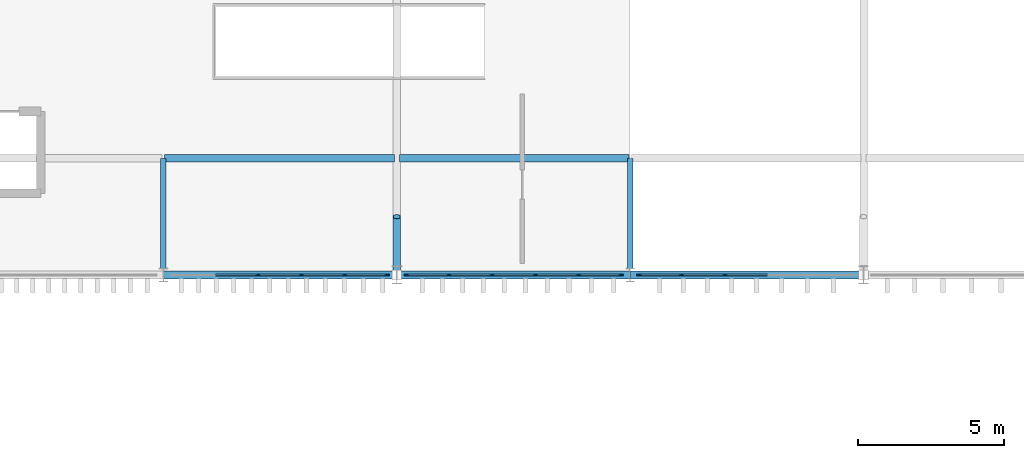
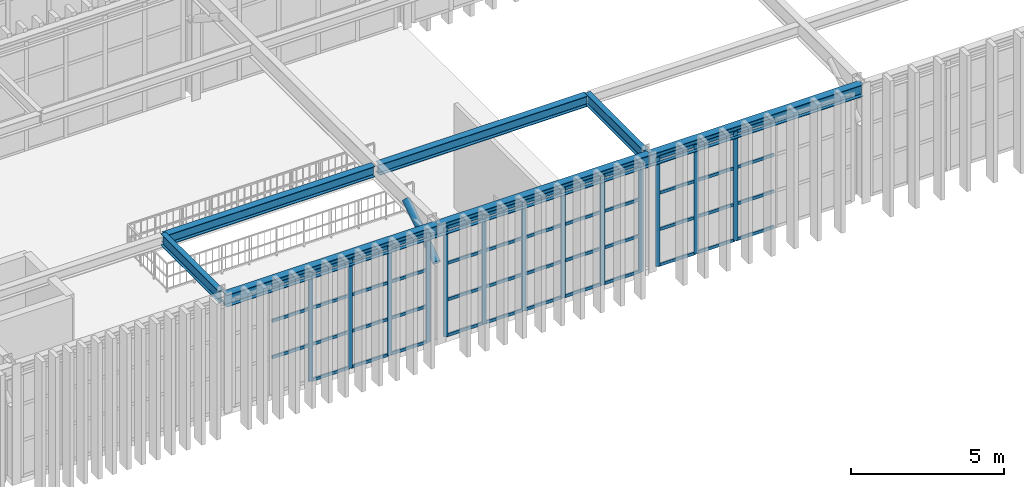
# One storey, part 18 of 61: 61 members, 7 beams, 3 elements without a shape of their own.
"""IFC4 building model written with IfcOpenShell, lengths in metres."""

from ifc_helpers import new_model, si_unit, direction, frame, origin, origin_2d, place, context, subcontext, project, spatial, rectangle, hollow_circle, i_section, extrude, material, material_profile, profile_set, type_object, element, aggregate, save


model = new_model("IFC4")

# Units and contexts
model_context = context("Model", 3, precision=1e-05, world=origin(), true_north=direction((0.0, 1.0)))
body_context = subcontext(model_context, "Body", "Model", "MODEL_VIEW")
ifc_project = project(units=[si_unit("LENGTHUNIT", "METRE"), si_unit("AREAUNIT", "SQUARE_METRE"), si_unit("VOLUMEUNIT", "CUBIC_METRE"), si_unit("PLANEANGLEUNIT", "RADIAN"), si_unit("MASSUNIT", "GRAM", prefix="KILO")], contexts=[model_context])

# Site, building, storey
site_placement = place(None, origin())
site = spatial("IfcSite", under=ifc_project, at=site_placement, CompositionType="ELEMENT")
building_placement = place(site_placement, origin())
building = spatial("IfcBuilding", under=site, at=building_placement, Name="Serraluz Foothill Cableway Terminal", CompositionType="ELEMENT")
storey_placement = place(building_placement, frame((0.0, 0.0, 15.0)))
storey = spatial("IfcBuildingStorey", under=building, at=storey_placement, Name="L03", CompositionType="ELEMENT", Elevation=15.0)

# Curtain wall, members
ifc_material_1 = material(Name="Architectural bronze alloy C28000", Category="aluminium")
curtain_wall_type_1 = type_object("IfcCurtainWallType", Name="TYP-CW-680X420", PredefinedType="NOTDEFINED", material=ifc_material_1)
curtain_wall_1_placement = place(storey_placement, origin())
curtain_wall_1 = element("IfcCurtainWall", 1, at=curtain_wall_1_placement, inside=storey, type_object=curtain_wall_type_1, Name="Ribbed Glazed Curtain Wall CW-V1S-L03-80", PredefinedType="NOTDEFINED")
ifc_material_profile_1 = material_profile(ifc_material_1, rectangle(XDim=0.06005859375, YDim=0.159912109375, at=origin_2d()), Name="ALU MULLION 60x160")
ifc_profile_set_1 = profile_set([ifc_material_profile_1], Name="Architectural bronze alloy C28000")
member_type_1 = type_object("IfcMemberType", Name="TYP-CW-MUL-60X160", PredefinedType="MULLION", material=ifc_profile_set_1)
member_1_placement = place(storey_placement, frame((87.66748046875, 56.0, 0.0), z_axis=(0.0, 0.0, 1.0), x_axis=(0.0, -1.0, 0.0)))
member_1 = element("IfcMember", 2, at=member_1_placement, type_object=member_type_1, Name="CW-13 mullion 1", PredefinedType="MULLION", context=body_context, shape_type="SweptSolid", body=[
    extrude(rectangle(XDim=0.06005859375, YDim=0.159912109375, at=origin_2d()), origin(), (0.0, 0.0, 1.0), 4.35009765625),
])
member_2_placement = place(storey_placement, frame((86.21435546875, 56.0, 0.0), z_axis=(0.0, 0.0, 1.0), x_axis=(0.0, -1.0, 0.0)))
member_2 = element("IfcMember", 3, at=member_2_placement, type_object=member_type_1, Name="CW-13 mullion 2", PredefinedType="MULLION", context=body_context, shape_type="SweptSolid", body=[
    extrude(rectangle(XDim=0.06005859375, YDim=0.159912109375, at=origin_2d()), origin(), (0.0, 0.0, 1.0), 4.35009765625),
])
member_3_placement = place(storey_placement, frame((84.731201171875, 56.0, 0.0), z_axis=(0.0, 0.0, 1.0), x_axis=(0.0, -1.0, 0.0)))
member_3 = element("IfcMember", 4, at=member_3_placement, type_object=member_type_1, Name="CW-13 mullion 3", PredefinedType="MULLION", context=body_context, shape_type="SweptSolid", body=[
    extrude(rectangle(XDim=0.06005859375, YDim=0.159912109375, at=origin_2d()), origin(), (0.0, 0.0, 1.0), 4.35009765625),
])
member_4_placement = place(storey_placement, frame((83.247802734375, 56.0, 0.0), z_axis=(0.0, 0.0, 1.0), x_axis=(0.0, -1.0, 0.0)))
member_4 = element("IfcMember", 5, at=member_4_placement, type_object=member_type_1, Name="CW-13 mullion 4", PredefinedType="MULLION", context=body_context, shape_type="SweptSolid", body=[
    extrude(rectangle(XDim=0.06005859375, YDim=0.159912109375, at=origin_2d()), origin(), (0.0, 0.0, 1.0), 4.35009765625),
])

curtain_wall_type_2 = type_object("IfcCurtainWallType", Name="TYP-CW-480X380", PredefinedType="NOTDEFINED", material=ifc_material_1)
curtain_wall_2_placement = place(storey_placement, origin())
curtain_wall_2 = element("IfcCurtainWall", 6, at=curtain_wall_2_placement, inside=storey, type_object=curtain_wall_type_2, Name="Ribbed Glazed Curtain Wall CW-V1S-L03-88", PredefinedType="NOTDEFINED")
member_5_placement = place(storey_placement, frame((95.6884765625, 56.0, 0.0), z_axis=(0.0, 0.0, 1.0), x_axis=(0.0, -1.0, 0.0)))
member_5 = element("IfcMember", 7, at=member_5_placement, type_object=member_type_1, Name="CW-14 mullion 1", PredefinedType="MULLION", context=body_context, shape_type="SweptSolid", body=[
    extrude(rectangle(XDim=0.06005859375, YDim=0.159912109375, at=origin_2d()), origin(), (0.0, 0.0, 1.0), 4.35009765625),
])
member_6_placement = place(storey_placement, frame((94.2353515625, 56.0, 0.0), z_axis=(0.0, 0.0, 1.0), x_axis=(0.0, -1.0, 0.0)))
member_6 = element("IfcMember", 8, at=member_6_placement, type_object=member_type_1, Name="CW-14 mullion 2", PredefinedType="MULLION", context=body_context, shape_type="SweptSolid", body=[
    extrude(rectangle(XDim=0.06005859375, YDim=0.159912109375, at=origin_2d()), origin(), (0.0, 0.0, 1.0), 4.35009765625),
])
member_7_placement = place(storey_placement, frame((92.752197265625, 56.0, 0.0), z_axis=(0.0, 0.0, 1.0), x_axis=(0.0, -1.0, 0.0)))
member_7 = element("IfcMember", 9, at=member_7_placement, type_object=member_type_1, Name="CW-14 mullion 3", PredefinedType="MULLION", context=body_context, shape_type="SweptSolid", body=[
    extrude(rectangle(XDim=0.06005859375, YDim=0.159912109375, at=origin_2d()), origin(), (0.0, 0.0, 1.0), 4.35009765625),
])
member_8_placement = place(storey_placement, frame((91.268798828125, 56.0, 0.0), z_axis=(0.0, 0.0, 1.0), x_axis=(0.0, -1.0, 0.0)))
member_8 = element("IfcMember", 10, at=member_8_placement, type_object=member_type_1, Name="CW-14 mullion 4", PredefinedType="MULLION", context=body_context, shape_type="SweptSolid", body=[
    extrude(rectangle(XDim=0.06005859375, YDim=0.159912109375, at=origin_2d()), origin(), (0.0, 0.0, 1.0), 4.35009765625),
])
member_9_placement = place(storey_placement, frame((89.78564453125, 56.0, 0.0), z_axis=(0.0, 0.0, 1.0), x_axis=(0.0, -1.0, 0.0)))
member_9 = element("IfcMember", 11, at=member_9_placement, type_object=member_type_1, Name="CW-14 mullion 5", PredefinedType="MULLION", context=body_context, shape_type="SweptSolid", body=[
    extrude(rectangle(XDim=0.06005859375, YDim=0.159912109375, at=origin_2d()), origin(), (0.0, 0.0, 1.0), 4.35009765625),
])
member_10_placement = place(storey_placement, frame((88.33251953125, 56.0, 0.0), z_axis=(0.0, 0.0, 1.0), x_axis=(0.0, -1.0, 0.0)))
member_10 = element("IfcMember", 12, at=member_10_placement, type_object=member_type_1, Name="CW-14 mullion 6", PredefinedType="MULLION", context=body_context, shape_type="SweptSolid", body=[
    extrude(rectangle(XDim=0.06005859375, YDim=0.159912109375, at=origin_2d()), origin(), (0.0, 0.0, 1.0), 4.35009765625),
])

curtain_wall_type_3 = type_object("IfcCurtainWallType", Name="TYP-CW-480X420", PredefinedType="NOTDEFINED", material=ifc_material_1)
curtain_wall_3_placement = place(storey_placement, origin())
curtain_wall_3 = element("IfcCurtainWall", 13, at=curtain_wall_3_placement, inside=storey, type_object=curtain_wall_type_3, Name="Ribbed Glazed Curtain Wall CW-V1S-L03-96", PredefinedType="NOTDEFINED")
member_11_placement = place(storey_placement, frame((99.247802734375, 56.0, 0.0), z_axis=(0.0, 0.0, 1.0), x_axis=(0.0, -1.0, 0.0)))
member_11 = element("IfcMember", 14, at=member_11_placement, type_object=member_type_1, Name="CW-15 mullion 4", PredefinedType="MULLION", context=body_context, shape_type="SweptSolid", body=[
    extrude(rectangle(XDim=0.06005859375, YDim=0.159912109375, at=origin_2d()), origin(), (0.0, 0.0, 1.0), 4.35009765625),
])
member_12_placement = place(storey_placement, frame((97.7646484375, 56.0, 0.0), z_axis=(0.0, 0.0, 1.0), x_axis=(0.0, -1.0, 0.0)))
member_12 = element("IfcMember", 15, at=member_12_placement, type_object=member_type_1, Name="CW-15 mullion 5", PredefinedType="MULLION", context=body_context, shape_type="SweptSolid", body=[
    extrude(rectangle(XDim=0.06005859375, YDim=0.159912109375, at=origin_2d()), origin(), (0.0, 0.0, 1.0), 4.35009765625),
])
member_13_placement = place(storey_placement, frame((96.3115234375, 56.0, 0.0), z_axis=(0.0, 0.0, 1.0), x_axis=(0.0, -1.0, 0.0)))
member_13 = element("IfcMember", 16, at=member_13_placement, type_object=member_type_1, Name="CW-15 mullion 6", PredefinedType="MULLION", context=body_context, shape_type="SweptSolid", body=[
    extrude(rectangle(XDim=0.06005859375, YDim=0.159912109375, at=origin_2d()), origin(), (0.0, 0.0, 1.0), 4.35009765625),
])

# Member
ifc_material_profile_2 = material_profile(ifc_material_1, rectangle(XDim=0.06005859375, YDim=0.1201171875, at=origin_2d()), Name="ALU TRANSOM 60x120")
ifc_profile_set_2 = profile_set([ifc_material_profile_2], Name="Architectural bronze alloy C28000")
member_type_2 = type_object("IfcMemberType", Name="TYP-CW-TRN-60X120", PredefinedType="USERDEFINED", material=ifc_profile_set_2)
member_14_placement = place(storey_placement, frame((87.637451171875, 56.0, 0.030029296875), z_axis=(-1.0, 0.0, 0.0), x_axis=(0.0, -1.0, 0.0)))
member_14 = element("IfcMember", 17, at=member_14_placement, type_object=member_type_2, Name="CW-13 transom 1.1", ObjectType="TRANSOM", PredefinedType="USERDEFINED", context=body_context, shape_type="SweptSolid", body=[
    extrude(rectangle(XDim=0.06005859375, YDim=0.1201171875, at=origin_2d()), origin(), (0.0, 0.0, 1.0), 1.39306640625),
])

member_15_placement = place(storey_placement, frame((87.637451171875, 56.0, 1.449951171875), z_axis=(-1.0, 0.0, 0.0), x_axis=(0.0, -1.0, 0.0)))
member_15 = element("IfcMember", 18, at=member_15_placement, type_object=member_type_2, Name="CW-13 transom 1.2", ObjectType="TRANSOM", PredefinedType="USERDEFINED", context=body_context, shape_type="SweptSolid", body=[
    extrude(rectangle(XDim=0.06005859375, YDim=0.1201171875, at=origin_2d()), origin(), (0.0, 0.0, 1.0), 1.39306640625),
])

member_16_placement = place(storey_placement, frame((87.637451171875, 56.0, 2.89990234375), z_axis=(-1.0, 0.0, 0.0), x_axis=(0.0, -1.0, 0.0)))
member_16 = element("IfcMember", 19, at=member_16_placement, type_object=member_type_2, Name="CW-13 transom 1.3", ObjectType="TRANSOM", PredefinedType="USERDEFINED", context=body_context, shape_type="SweptSolid", body=[
    extrude(rectangle(XDim=0.06005859375, YDim=0.1201171875, at=origin_2d()), origin(), (0.0, 0.0, 1.0), 1.39306640625),
])

member_17_placement = place(storey_placement, frame((87.637451171875, 56.0, 4.320068359375), z_axis=(-1.0, 0.0, 0.0), x_axis=(0.0, -1.0, 0.0)))
member_17 = element("IfcMember", 20, at=member_17_placement, type_object=member_type_2, Name="CW-13 transom 1.4", ObjectType="TRANSOM", PredefinedType="USERDEFINED", context=body_context, shape_type="SweptSolid", body=[
    extrude(rectangle(XDim=0.06005859375, YDim=0.1201171875, at=origin_2d()), origin(), (0.0, 0.0, 1.0), 1.39306640625),
])

member_18_placement = place(storey_placement, frame((86.184326171875, 56.0, 0.030029296875), z_axis=(-1.0, 0.0, 0.0), x_axis=(0.0, -1.0, 0.0)))
member_18 = element("IfcMember", 21, at=member_18_placement, type_object=member_type_2, Name="CW-13 transom 2.1", ObjectType="TRANSOM", PredefinedType="USERDEFINED", context=body_context, shape_type="SweptSolid", body=[
    extrude(rectangle(XDim=0.06005859375, YDim=0.1201171875, at=origin_2d()), origin(), (0.0, 0.0, 1.0), 1.42333984375),
])

member_19_placement = place(storey_placement, frame((86.184326171875, 56.0, 1.449951171875), z_axis=(-1.0, 0.0, 0.0), x_axis=(0.0, -1.0, 0.0)))
member_19 = element("IfcMember", 22, at=member_19_placement, type_object=member_type_2, Name="CW-13 transom 2.2", ObjectType="TRANSOM", PredefinedType="USERDEFINED", context=body_context, shape_type="SweptSolid", body=[
    extrude(rectangle(XDim=0.06005859375, YDim=0.1201171875, at=origin_2d()), origin(), (0.0, 0.0, 1.0), 1.42333984375),
])

member_20_placement = place(storey_placement, frame((86.184326171875, 56.0, 2.89990234375), z_axis=(-1.0, 0.0, 0.0), x_axis=(0.0, -1.0, 0.0)))
member_20 = element("IfcMember", 23, at=member_20_placement, type_object=member_type_2, Name="CW-13 transom 2.3", ObjectType="TRANSOM", PredefinedType="USERDEFINED", context=body_context, shape_type="SweptSolid", body=[
    extrude(rectangle(XDim=0.06005859375, YDim=0.1201171875, at=origin_2d()), origin(), (0.0, 0.0, 1.0), 1.42333984375),
])

member_21_placement = place(storey_placement, frame((86.184326171875, 56.0, 4.320068359375), z_axis=(-1.0, 0.0, 0.0), x_axis=(0.0, -1.0, 0.0)))
member_21 = element("IfcMember", 24, at=member_21_placement, type_object=member_type_2, Name="CW-13 transom 2.4", ObjectType="TRANSOM", PredefinedType="USERDEFINED", context=body_context, shape_type="SweptSolid", body=[
    extrude(rectangle(XDim=0.06005859375, YDim=0.1201171875, at=origin_2d()), origin(), (0.0, 0.0, 1.0), 1.42333984375),
])

member_22_placement = place(storey_placement, frame((84.701171875, 56.0, 0.030029296875), z_axis=(-1.0, 0.0, 0.0), x_axis=(0.0, -1.0, 0.0)))
member_22 = element("IfcMember", 25, at=member_22_placement, type_object=member_type_2, Name="CW-13 transom 3.1", ObjectType="TRANSOM", PredefinedType="USERDEFINED", context=body_context, shape_type="SweptSolid", body=[
    extrude(rectangle(XDim=0.06005859375, YDim=0.1201171875, at=origin_2d()), origin(), (0.0, 0.0, 1.0), 1.42333984375),
])

member_23_placement = place(storey_placement, frame((84.701171875, 56.0, 1.449951171875), z_axis=(-1.0, 0.0, 0.0), x_axis=(0.0, -1.0, 0.0)))
member_23 = element("IfcMember", 26, at=member_23_placement, type_object=member_type_2, Name="CW-13 transom 3.2", ObjectType="TRANSOM", PredefinedType="USERDEFINED", context=body_context, shape_type="SweptSolid", body=[
    extrude(rectangle(XDim=0.06005859375, YDim=0.1201171875, at=origin_2d()), origin(), (0.0, 0.0, 1.0), 1.42333984375),
])

member_24_placement = place(storey_placement, frame((84.701171875, 56.0, 2.89990234375), z_axis=(-1.0, 0.0, 0.0), x_axis=(0.0, -1.0, 0.0)))
member_24 = element("IfcMember", 27, at=member_24_placement, type_object=member_type_2, Name="CW-13 transom 3.3", ObjectType="TRANSOM", PredefinedType="USERDEFINED", context=body_context, shape_type="SweptSolid", body=[
    extrude(rectangle(XDim=0.06005859375, YDim=0.1201171875, at=origin_2d()), origin(), (0.0, 0.0, 1.0), 1.42333984375),
])

member_25_placement = place(storey_placement, frame((84.701171875, 56.0, 4.320068359375), z_axis=(-1.0, 0.0, 0.0), x_axis=(0.0, -1.0, 0.0)))
member_25 = element("IfcMember", 28, at=member_25_placement, type_object=member_type_2, Name="CW-13 transom 3.4", ObjectType="TRANSOM", PredefinedType="USERDEFINED", context=body_context, shape_type="SweptSolid", body=[
    extrude(rectangle(XDim=0.06005859375, YDim=0.1201171875, at=origin_2d()), origin(), (0.0, 0.0, 1.0), 1.42333984375),
])

member_26_placement = place(storey_placement, frame((83.218017578125, 56.0, 1.449951171875), z_axis=(-1.0, 0.0, 0.0), x_axis=(0.0, -1.0, 0.0)))
member_26 = element("IfcMember", 29, at=member_26_placement, type_object=member_type_2, Name="CW-13 transom 4.2", ObjectType="TRANSOM", PredefinedType="USERDEFINED", context=body_context, shape_type="SweptSolid", body=[
    extrude(rectangle(XDim=0.06005859375, YDim=0.1201171875, at=origin_2d()), origin(), (0.0, 0.0, 1.0), 1.42333984375),
])

member_27_placement = place(storey_placement, frame((83.218017578125, 56.0, 2.89990234375), z_axis=(-1.0, 0.0, 0.0), x_axis=(0.0, -1.0, 0.0)))
member_27 = element("IfcMember", 30, at=member_27_placement, type_object=member_type_2, Name="CW-13 transom 4.3", ObjectType="TRANSOM", PredefinedType="USERDEFINED", context=body_context, shape_type="SweptSolid", body=[
    extrude(rectangle(XDim=0.06005859375, YDim=0.1201171875, at=origin_2d()), origin(), (0.0, 0.0, 1.0), 1.42333984375),
])

member_28_placement = place(storey_placement, frame((83.218017578125, 56.0, 4.320068359375), z_axis=(-1.0, 0.0, 0.0), x_axis=(0.0, -1.0, 0.0)))
member_28 = element("IfcMember", 31, at=member_28_placement, type_object=member_type_2, Name="CW-13 transom 4.4", ObjectType="TRANSOM", PredefinedType="USERDEFINED", context=body_context, shape_type="SweptSolid", body=[
    extrude(rectangle(XDim=0.06005859375, YDim=0.1201171875, at=origin_2d()), origin(), (0.0, 0.0, 1.0), 1.42333984375),
])

aggregate(curtain_wall_1, [member_1, member_2, member_3, member_4, member_14, member_15, member_16, member_17, member_18, member_19, member_20, member_21, member_22, member_23, member_24, member_25, member_26, member_27, member_28])

member_29_placement = place(storey_placement, frame((95.658447265625, 56.0, 0.030029296875), z_axis=(-1.0, 0.0, 0.0), x_axis=(0.0, -1.0, 0.0)))
member_29 = element("IfcMember", 32, at=member_29_placement, type_object=member_type_2, Name="CW-14 transom 1.1", ObjectType="TRANSOM", PredefinedType="USERDEFINED", context=body_context, shape_type="SweptSolid", body=[
    extrude(rectangle(XDim=0.06005859375, YDim=0.1201171875, at=origin_2d()), origin(), (0.0, 0.0, 1.0), 1.39306640625),
])

member_30_placement = place(storey_placement, frame((95.658447265625, 56.0, 1.449951171875), z_axis=(-1.0, 0.0, 0.0), x_axis=(0.0, -1.0, 0.0)))
member_30 = element("IfcMember", 33, at=member_30_placement, type_object=member_type_2, Name="CW-14 transom 1.2", ObjectType="TRANSOM", PredefinedType="USERDEFINED", context=body_context, shape_type="SweptSolid", body=[
    extrude(rectangle(XDim=0.06005859375, YDim=0.1201171875, at=origin_2d()), origin(), (0.0, 0.0, 1.0), 1.39306640625),
])

member_31_placement = place(storey_placement, frame((95.658447265625, 56.0, 2.89990234375), z_axis=(-1.0, 0.0, 0.0), x_axis=(0.0, -1.0, 0.0)))
member_31 = element("IfcMember", 34, at=member_31_placement, type_object=member_type_2, Name="CW-14 transom 1.3", ObjectType="TRANSOM", PredefinedType="USERDEFINED", context=body_context, shape_type="SweptSolid", body=[
    extrude(rectangle(XDim=0.06005859375, YDim=0.1201171875, at=origin_2d()), origin(), (0.0, 0.0, 1.0), 1.39306640625),
])

member_32_placement = place(storey_placement, frame((95.658447265625, 56.0, 4.320068359375), z_axis=(-1.0, 0.0, 0.0), x_axis=(0.0, -1.0, 0.0)))
member_32 = element("IfcMember", 35, at=member_32_placement, type_object=member_type_2, Name="CW-14 transom 1.4", ObjectType="TRANSOM", PredefinedType="USERDEFINED", context=body_context, shape_type="SweptSolid", body=[
    extrude(rectangle(XDim=0.06005859375, YDim=0.1201171875, at=origin_2d()), origin(), (0.0, 0.0, 1.0), 1.39306640625),
])

member_33_placement = place(storey_placement, frame((94.205322265625, 56.0, 0.030029296875), z_axis=(-1.0, 0.0, 0.0), x_axis=(0.0, -1.0, 0.0)))
member_33 = element("IfcMember", 36, at=member_33_placement, type_object=member_type_2, Name="CW-14 transom 2.1", ObjectType="TRANSOM", PredefinedType="USERDEFINED", context=body_context, shape_type="SweptSolid", body=[
    extrude(rectangle(XDim=0.06005859375, YDim=0.1201171875, at=origin_2d()), origin(), (0.0, 0.0, 1.0), 1.42333984375),
])

member_34_placement = place(storey_placement, frame((94.205322265625, 56.0, 1.449951171875), z_axis=(-1.0, 0.0, 0.0), x_axis=(0.0, -1.0, 0.0)))
member_34 = element("IfcMember", 37, at=member_34_placement, type_object=member_type_2, Name="CW-14 transom 2.2", ObjectType="TRANSOM", PredefinedType="USERDEFINED", context=body_context, shape_type="SweptSolid", body=[
    extrude(rectangle(XDim=0.06005859375, YDim=0.1201171875, at=origin_2d()), origin(), (0.0, 0.0, 1.0), 1.42333984375),
])

member_35_placement = place(storey_placement, frame((94.205322265625, 56.0, 2.89990234375), z_axis=(-1.0, 0.0, 0.0), x_axis=(0.0, -1.0, 0.0)))
member_35 = element("IfcMember", 38, at=member_35_placement, type_object=member_type_2, Name="CW-14 transom 2.3", ObjectType="TRANSOM", PredefinedType="USERDEFINED", context=body_context, shape_type="SweptSolid", body=[
    extrude(rectangle(XDim=0.06005859375, YDim=0.1201171875, at=origin_2d()), origin(), (0.0, 0.0, 1.0), 1.42333984375),
])

member_36_placement = place(storey_placement, frame((94.205322265625, 56.0, 4.320068359375), z_axis=(-1.0, 0.0, 0.0), x_axis=(0.0, -1.0, 0.0)))
member_36 = element("IfcMember", 39, at=member_36_placement, type_object=member_type_2, Name="CW-14 transom 2.4", ObjectType="TRANSOM", PredefinedType="USERDEFINED", context=body_context, shape_type="SweptSolid", body=[
    extrude(rectangle(XDim=0.06005859375, YDim=0.1201171875, at=origin_2d()), origin(), (0.0, 0.0, 1.0), 1.42333984375),
])

member_37_placement = place(storey_placement, frame((92.72216796875, 56.0, 0.030029296875), z_axis=(-1.0, 0.0, 0.0), x_axis=(0.0, -1.0, 0.0)))
member_37 = element("IfcMember", 40, at=member_37_placement, type_object=member_type_2, Name="CW-14 transom 3.1", ObjectType="TRANSOM", PredefinedType="USERDEFINED", context=body_context, shape_type="SweptSolid", body=[
    extrude(rectangle(XDim=0.06005859375, YDim=0.1201171875, at=origin_2d()), origin(), (0.0, 0.0, 1.0), 1.42333984375),
])

member_38_placement = place(storey_placement, frame((92.72216796875, 56.0, 1.449951171875), z_axis=(-1.0, 0.0, 0.0), x_axis=(0.0, -1.0, 0.0)))
member_38 = element("IfcMember", 41, at=member_38_placement, type_object=member_type_2, Name="CW-14 transom 3.2", ObjectType="TRANSOM", PredefinedType="USERDEFINED", context=body_context, shape_type="SweptSolid", body=[
    extrude(rectangle(XDim=0.06005859375, YDim=0.1201171875, at=origin_2d()), origin(), (0.0, 0.0, 1.0), 1.42333984375),
])

member_39_placement = place(storey_placement, frame((92.72216796875, 56.0, 2.89990234375), z_axis=(-1.0, 0.0, 0.0), x_axis=(0.0, -1.0, 0.0)))
member_39 = element("IfcMember", 42, at=member_39_placement, type_object=member_type_2, Name="CW-14 transom 3.3", ObjectType="TRANSOM", PredefinedType="USERDEFINED", context=body_context, shape_type="SweptSolid", body=[
    extrude(rectangle(XDim=0.06005859375, YDim=0.1201171875, at=origin_2d()), origin(), (0.0, 0.0, 1.0), 1.42333984375),
])

member_40_placement = place(storey_placement, frame((92.72216796875, 56.0, 4.320068359375), z_axis=(-1.0, 0.0, 0.0), x_axis=(0.0, -1.0, 0.0)))
member_40 = element("IfcMember", 43, at=member_40_placement, type_object=member_type_2, Name="CW-14 transom 3.4", ObjectType="TRANSOM", PredefinedType="USERDEFINED", context=body_context, shape_type="SweptSolid", body=[
    extrude(rectangle(XDim=0.06005859375, YDim=0.1201171875, at=origin_2d()), origin(), (0.0, 0.0, 1.0), 1.42333984375),
])

member_41_placement = place(storey_placement, frame((91.239013671875, 56.0, 0.030029296875), z_axis=(-1.0, 0.0, 0.0), x_axis=(0.0, -1.0, 0.0)))
member_41 = element("IfcMember", 44, at=member_41_placement, type_object=member_type_2, Name="CW-14 transom 4.1", ObjectType="TRANSOM", PredefinedType="USERDEFINED", context=body_context, shape_type="SweptSolid", body=[
    extrude(rectangle(XDim=0.06005859375, YDim=0.1201171875, at=origin_2d()), origin(), (0.0, 0.0, 1.0), 1.42333984375),
])

member_42_placement = place(storey_placement, frame((91.239013671875, 56.0, 1.449951171875), z_axis=(-1.0, 0.0, 0.0), x_axis=(0.0, -1.0, 0.0)))
member_42 = element("IfcMember", 45, at=member_42_placement, type_object=member_type_2, Name="CW-14 transom 4.2", ObjectType="TRANSOM", PredefinedType="USERDEFINED", context=body_context, shape_type="SweptSolid", body=[
    extrude(rectangle(XDim=0.06005859375, YDim=0.1201171875, at=origin_2d()), origin(), (0.0, 0.0, 1.0), 1.42333984375),
])

member_43_placement = place(storey_placement, frame((91.239013671875, 56.0, 2.89990234375), z_axis=(-1.0, 0.0, 0.0), x_axis=(0.0, -1.0, 0.0)))
member_43 = element("IfcMember", 46, at=member_43_placement, type_object=member_type_2, Name="CW-14 transom 4.3", ObjectType="TRANSOM", PredefinedType="USERDEFINED", context=body_context, shape_type="SweptSolid", body=[
    extrude(rectangle(XDim=0.06005859375, YDim=0.1201171875, at=origin_2d()), origin(), (0.0, 0.0, 1.0), 1.42333984375),
])

member_44_placement = place(storey_placement, frame((91.239013671875, 56.0, 4.320068359375), z_axis=(-1.0, 0.0, 0.0), x_axis=(0.0, -1.0, 0.0)))
member_44 = element("IfcMember", 47, at=member_44_placement, type_object=member_type_2, Name="CW-14 transom 4.4", ObjectType="TRANSOM", PredefinedType="USERDEFINED", context=body_context, shape_type="SweptSolid", body=[
    extrude(rectangle(XDim=0.06005859375, YDim=0.1201171875, at=origin_2d()), origin(), (0.0, 0.0, 1.0), 1.42333984375),
])

member_45_placement = place(storey_placement, frame((89.755615234375, 56.0, 0.030029296875), z_axis=(-1.0, 0.0, 0.0), x_axis=(0.0, -1.0, 0.0)))
member_45 = element("IfcMember", 48, at=member_45_placement, type_object=member_type_2, Name="CW-14 transom 5.1", ObjectType="TRANSOM", PredefinedType="USERDEFINED", context=body_context, shape_type="SweptSolid", body=[
    extrude(rectangle(XDim=0.06005859375, YDim=0.1201171875, at=origin_2d()), origin(), (0.0, 0.0, 1.0), 1.39306640625),
])

member_46_placement = place(storey_placement, frame((89.755615234375, 56.0, 1.449951171875), z_axis=(-1.0, 0.0, 0.0), x_axis=(0.0, -1.0, 0.0)))
member_46 = element("IfcMember", 49, at=member_46_placement, type_object=member_type_2, Name="CW-14 transom 5.2", ObjectType="TRANSOM", PredefinedType="USERDEFINED", context=body_context, shape_type="SweptSolid", body=[
    extrude(rectangle(XDim=0.06005859375, YDim=0.1201171875, at=origin_2d()), origin(), (0.0, 0.0, 1.0), 1.39306640625),
])

member_47_placement = place(storey_placement, frame((89.755615234375, 56.0, 2.89990234375), z_axis=(-1.0, 0.0, 0.0), x_axis=(0.0, -1.0, 0.0)))
member_47 = element("IfcMember", 50, at=member_47_placement, type_object=member_type_2, Name="CW-14 transom 5.3", ObjectType="TRANSOM", PredefinedType="USERDEFINED", context=body_context, shape_type="SweptSolid", body=[
    extrude(rectangle(XDim=0.06005859375, YDim=0.1201171875, at=origin_2d()), origin(), (0.0, 0.0, 1.0), 1.39306640625),
])

member_48_placement = place(storey_placement, frame((89.755615234375, 56.0, 4.320068359375), z_axis=(-1.0, 0.0, 0.0), x_axis=(0.0, -1.0, 0.0)))
member_48 = element("IfcMember", 51, at=member_48_placement, type_object=member_type_2, Name="CW-14 transom 5.4", ObjectType="TRANSOM", PredefinedType="USERDEFINED", context=body_context, shape_type="SweptSolid", body=[
    extrude(rectangle(XDim=0.06005859375, YDim=0.1201171875, at=origin_2d()), origin(), (0.0, 0.0, 1.0), 1.39306640625),
])

aggregate(curtain_wall_2, [member_5, member_6, member_7, member_8, member_9, member_10, member_29, member_30, member_31, member_32, member_33, member_34, member_35, member_36, member_37, member_38, member_39, member_40, member_41, member_42, member_43, member_44, member_45, member_46, member_47, member_48])

member_49_placement = place(storey_placement, frame((100.701171875, 56.0, 0.030029296875), z_axis=(-1.0, 0.0, 0.0), x_axis=(0.0, -1.0, 0.0)))
member_49 = element("IfcMember", 52, at=member_49_placement, type_object=member_type_2, Name="CW-15 transom 3.1", ObjectType="TRANSOM", PredefinedType="USERDEFINED", context=body_context, shape_type="SweptSolid", body=[
    extrude(rectangle(XDim=0.06005859375, YDim=0.1201171875, at=origin_2d()), origin(), (0.0, 0.0, 1.0), 1.42333984375),
])

member_50_placement = place(storey_placement, frame((100.701171875, 56.0, 1.449951171875), z_axis=(-1.0, 0.0, 0.0), x_axis=(0.0, -1.0, 0.0)))
member_50 = element("IfcMember", 53, at=member_50_placement, type_object=member_type_2, Name="CW-15 transom 3.2", ObjectType="TRANSOM", PredefinedType="USERDEFINED", context=body_context, shape_type="SweptSolid", body=[
    extrude(rectangle(XDim=0.06005859375, YDim=0.1201171875, at=origin_2d()), origin(), (0.0, 0.0, 1.0), 1.42333984375),
])

member_51_placement = place(storey_placement, frame((100.701171875, 56.0, 2.89990234375), z_axis=(-1.0, 0.0, 0.0), x_axis=(0.0, -1.0, 0.0)))
member_51 = element("IfcMember", 54, at=member_51_placement, type_object=member_type_2, Name="CW-15 transom 3.3", ObjectType="TRANSOM", PredefinedType="USERDEFINED", context=body_context, shape_type="SweptSolid", body=[
    extrude(rectangle(XDim=0.06005859375, YDim=0.1201171875, at=origin_2d()), origin(), (0.0, 0.0, 1.0), 1.42333984375),
])

member_52_placement = place(storey_placement, frame((100.701171875, 56.0, 4.320068359375), z_axis=(-1.0, 0.0, 0.0), x_axis=(0.0, -1.0, 0.0)))
member_52 = element("IfcMember", 55, at=member_52_placement, type_object=member_type_2, Name="CW-15 transom 3.4", ObjectType="TRANSOM", PredefinedType="USERDEFINED", context=body_context, shape_type="SweptSolid", body=[
    extrude(rectangle(XDim=0.06005859375, YDim=0.1201171875, at=origin_2d()), origin(), (0.0, 0.0, 1.0), 1.42333984375),
])

member_53_placement = place(storey_placement, frame((99.218017578125, 56.0, 0.030029296875), z_axis=(-1.0, 0.0, 0.0), x_axis=(0.0, -1.0, 0.0)))
member_53 = element("IfcMember", 56, at=member_53_placement, type_object=member_type_2, Name="CW-15 transom 4.1", ObjectType="TRANSOM", PredefinedType="USERDEFINED", context=body_context, shape_type="SweptSolid", body=[
    extrude(rectangle(XDim=0.06005859375, YDim=0.1201171875, at=origin_2d()), origin(), (0.0, 0.0, 1.0), 1.42333984375),
])

member_54_placement = place(storey_placement, frame((99.218017578125, 56.0, 1.449951171875), z_axis=(-1.0, 0.0, 0.0), x_axis=(0.0, -1.0, 0.0)))
member_54 = element("IfcMember", 57, at=member_54_placement, type_object=member_type_2, Name="CW-15 transom 4.2", ObjectType="TRANSOM", PredefinedType="USERDEFINED", context=body_context, shape_type="SweptSolid", body=[
    extrude(rectangle(XDim=0.06005859375, YDim=0.1201171875, at=origin_2d()), origin(), (0.0, 0.0, 1.0), 1.42333984375),
])

member_55_placement = place(storey_placement, frame((99.218017578125, 56.0, 2.89990234375), z_axis=(-1.0, 0.0, 0.0), x_axis=(0.0, -1.0, 0.0)))
member_55 = element("IfcMember", 58, at=member_55_placement, type_object=member_type_2, Name="CW-15 transom 4.3", ObjectType="TRANSOM", PredefinedType="USERDEFINED", context=body_context, shape_type="SweptSolid", body=[
    extrude(rectangle(XDim=0.06005859375, YDim=0.1201171875, at=origin_2d()), origin(), (0.0, 0.0, 1.0), 1.42333984375),
])

member_56_placement = place(storey_placement, frame((99.218017578125, 56.0, 4.320068359375), z_axis=(-1.0, 0.0, 0.0), x_axis=(0.0, -1.0, 0.0)))
member_56 = element("IfcMember", 59, at=member_56_placement, type_object=member_type_2, Name="CW-15 transom 4.4", ObjectType="TRANSOM", PredefinedType="USERDEFINED", context=body_context, shape_type="SweptSolid", body=[
    extrude(rectangle(XDim=0.06005859375, YDim=0.1201171875, at=origin_2d()), origin(), (0.0, 0.0, 1.0), 1.42333984375),
])

member_57_placement = place(storey_placement, frame((97.734619140625, 56.0, 0.030029296875), z_axis=(-1.0, 0.0, 0.0), x_axis=(0.0, -1.0, 0.0)))
member_57 = element("IfcMember", 60, at=member_57_placement, type_object=member_type_2, Name="CW-15 transom 5.1", ObjectType="TRANSOM", PredefinedType="USERDEFINED", context=body_context, shape_type="SweptSolid", body=[
    extrude(rectangle(XDim=0.06005859375, YDim=0.1201171875, at=origin_2d()), origin(), (0.0, 0.0, 1.0), 1.39306640625),
])

member_58_placement = place(storey_placement, frame((97.734619140625, 56.0, 1.449951171875), z_axis=(-1.0, 0.0, 0.0), x_axis=(0.0, -1.0, 0.0)))
member_58 = element("IfcMember", 61, at=member_58_placement, type_object=member_type_2, Name="CW-15 transom 5.2", ObjectType="TRANSOM", PredefinedType="USERDEFINED", context=body_context, shape_type="SweptSolid", body=[
    extrude(rectangle(XDim=0.06005859375, YDim=0.1201171875, at=origin_2d()), origin(), (0.0, 0.0, 1.0), 1.39306640625),
])

member_59_placement = place(storey_placement, frame((97.734619140625, 56.0, 2.89990234375), z_axis=(-1.0, 0.0, 0.0), x_axis=(0.0, -1.0, 0.0)))
member_59 = element("IfcMember", 62, at=member_59_placement, type_object=member_type_2, Name="CW-15 transom 5.3", ObjectType="TRANSOM", PredefinedType="USERDEFINED", context=body_context, shape_type="SweptSolid", body=[
    extrude(rectangle(XDim=0.06005859375, YDim=0.1201171875, at=origin_2d()), origin(), (0.0, 0.0, 1.0), 1.39306640625),
])

member_60_placement = place(storey_placement, frame((97.734619140625, 56.0, 4.320068359375), z_axis=(-1.0, 0.0, 0.0), x_axis=(0.0, -1.0, 0.0)))
member_60 = element("IfcMember", 63, at=member_60_placement, type_object=member_type_2, Name="CW-15 transom 5.4", ObjectType="TRANSOM", PredefinedType="USERDEFINED", context=body_context, shape_type="SweptSolid", body=[
    extrude(rectangle(XDim=0.06005859375, YDim=0.1201171875, at=origin_2d()), origin(), (0.0, 0.0, 1.0), 1.39306640625),
])

aggregate(curtain_wall_3, [member_11, member_12, member_13, member_49, member_50, member_51, member_52, member_53, member_54, member_55, member_56, member_57, member_58, member_59, member_60])

# Beams
ifc_material_2 = material(Name="Steel ASTM A992 Grade 50", Category="steel")
ifc_material_profile_3 = material_profile(ifc_material_2, i_section(OverallWidth=0.260009765625, OverallDepth=0.4189453125, WebThickness=0.01171875, FlangeThickness=0.019287109375, FilletRadius=0.013916015625, at=origin_2d()), Name="W16X77")
ifc_profile_set_3 = profile_set([ifc_material_profile_3], Name="Steel ASTM A992 Grade 50")
beam_type_1 = type_object("IfcBeamType", Name="TYP-JS-W16X77", PredefinedType="JOIST", material=ifc_profile_set_3)
for number, where, z_axis, x_axis, name in (
    (64, (80.0400390625, 60.0, 4.35009765625), (1.0, 0.0, 0.0), (0.0, 1.0, 0.0), "Eaves Gallery Support Beam 80-60"),
    (65, (88.0849609375, 60.0, 4.35009765625), (1.0, 0.0, 0.0), (0.0, 1.0, 0.0), "Eaves Gallery Support Beam 88-60"),
):
    element("IfcBeam", number, at=place(storey_placement, frame(where, z_axis=z_axis, x_axis=x_axis)), inside=storey, type_object=beam_type_1, Name=name, PredefinedType="JOIST", context=body_context, shape_type="SweptSolid", body=[
        extrude(i_section(OverallWidth=0.260009765625, OverallDepth=0.4189453125, WebThickness=0.01171875, FlangeThickness=0.019287109375, FilletRadius=0.013916015625, at=origin_2d()), origin(), (0.0, 0.0, 1.0), 7.875),
    ])
ifc_material_profile_4 = material_profile(ifc_material_2, i_section(OverallWidth=0.193115234375, OverallDepth=0.467041015625, WebThickness=0.011474609375, FlangeThickness=0.01904296875, FilletRadius=0.014892578125, at=origin_2d()), Name="W18X65")
ifc_profile_set_4 = profile_set([ifc_material_profile_4], Name="Steel ASTM A992 Grade 50")
beam_type_2 = type_object("IfcBeamType", Name="TYP-JS-W18X65", PredefinedType="JOIST", material=ifc_profile_set_4)
for number, where, z_axis, x_axis, name in (
    (66, (80.0, 56.199951171875, 4.3798828125), (0.0, 1.0, 0.0), (-1.0, 0.0, 0.0), "Eaves Gallery Bracket Tie 80-56"),
    (67, (96.0, 56.199951171875, 4.3798828125), (0.0, 1.0, 0.0), (-1.0, 0.0, 0.0), "Eaves Gallery Bracket Tie 96-56"),
):
    element("IfcBeam", number, at=place(storey_placement, frame(where, z_axis=z_axis, x_axis=x_axis)), inside=storey, type_object=beam_type_2, Name=name, PredefinedType="JOIST", context=body_context, shape_type="SweptSolid", body=[
        extrude(i_section(OverallWidth=0.193115234375, OverallDepth=0.467041015625, WebThickness=0.011474609375, FlangeThickness=0.01904296875, FilletRadius=0.014892578125, at=origin_2d()), origin(), (0.0, 0.0, 1.0), 3.800048828125),
    ])
ifc_material_profile_5 = material_profile(ifc_material_2, i_section(OverallWidth=0.282958984375, OverallDepth=0.471923828125, WebThickness=0.013671875, FlangeThickness=0.022216796875, FilletRadius=0.014892578125, at=origin_2d()), Name="W18X97")
ifc_profile_set_5 = profile_set([ifc_material_profile_5], Name="Steel ASTM A992 Grade 50")
beam_type_3 = type_object("IfcBeamType", Name="TYP-SP-W18X97", PredefinedType="SPANDREL", material=ifc_profile_set_5)
for number, where, z_axis, x_axis, name in (
    (68, (80.0048828125, 56.0, 4.384033203125), (1.0, 0.0, 0.0), (0.0, 1.0, 0.0), "Primary Girder BM-X-L03-0353"),
    (69, (88.0048828125, 56.0, 4.384033203125), (1.0, 0.0, 0.0), (0.0, 1.0, 0.0), "Primary Girder BM-X-L03-0354"),
    (70, (96.0048828125, 56.0, 4.384033203125), (1.0, 0.0, 0.0), (0.0, 1.0, 0.0), "Primary Girder BM-X-L03-0355"),
):
    element("IfcBeam", number, at=place(storey_placement, frame(where, z_axis=z_axis, x_axis=x_axis)), inside=storey, type_object=beam_type_3, Name=name, PredefinedType="SPANDREL", context=body_context, shape_type="SweptSolid", body=[
        extrude(i_section(OverallWidth=0.282958984375, OverallDepth=0.471923828125, WebThickness=0.013671875, FlangeThickness=0.022216796875, FilletRadius=0.014892578125, at=origin_2d()), origin(), (0.0, 0.0, 1.0), 7.990234375),
    ])

# Member
ifc_material_3 = material(Name="Steel ASTM A572 Grade 50", Category="steel")
ifc_material_profile_6 = material_profile(ifc_material_3, hollow_circle(Radius=0.136474609375, WallThickness=0.011962890625, at=origin_2d()), Name="CHS273X12")
ifc_profile_set_6 = profile_set([ifc_material_profile_6], Name="Steel ASTM A572 Grade 50")
member_type_3 = type_object("IfcMemberType", Name="TYP-ST-CHS273", PredefinedType="STRUT", material=ifc_profile_set_6)
member_61_placement = place(storey_placement, frame((88.0, 56.0, 3.050048828125), z_axis=(0.0, 0.838434262763, 0.545002740383), x_axis=(-1.0, 0.0, 0.0)))
element("IfcMember", 71, at=member_61_placement, inside=storey, type_object=member_type_3, Name="Portal Knee Strut STRUT-TR-04-S", PredefinedType="STRUT", context=body_context, shape_type="SweptSolid", body=[
    extrude(hollow_circle(Radius=0.136474609375, WallThickness=0.011962890625, at=origin_2d()), origin(), (0.0, 0.0, 1.0), 2.385498046875),
])

save(model, "model.ifc")
